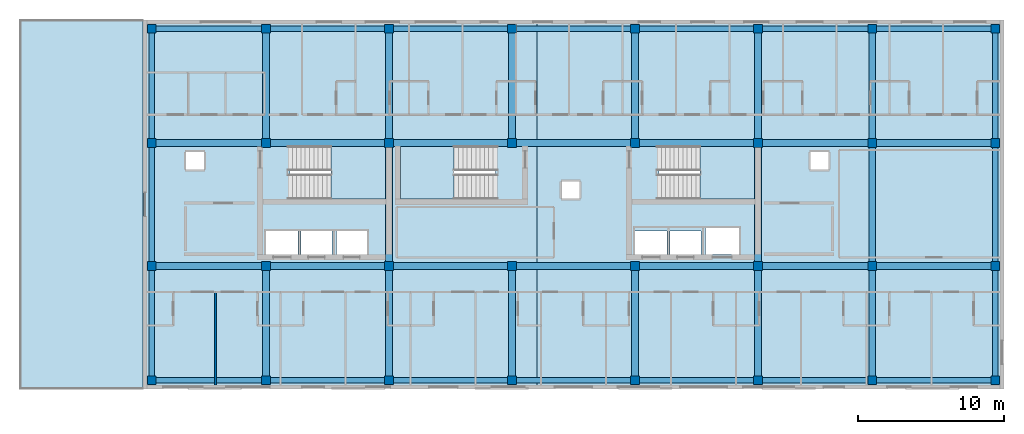
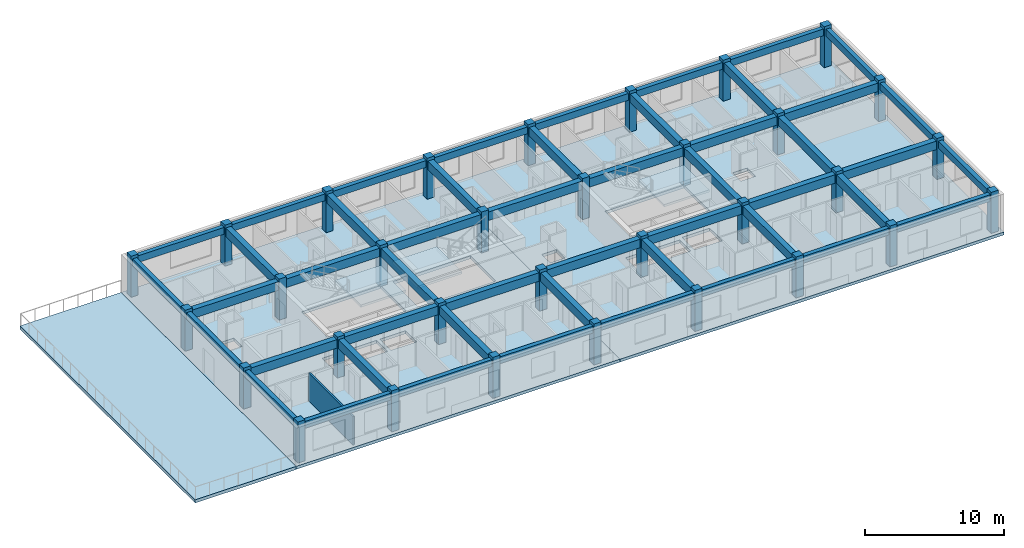
# One storey, part 1 of 10: 49 beams, 32 columns, 6 slabs, 1 wall, 3 elements without a shape of their own.
"""IFC4 building model written with IfcOpenShell, lengths in metres."""

from ifc_helpers import new_model, si_unit, direction, frame, frame_2d, origin, origin_2d, place, context, subcontext, project, spatial, polyline, rectangle, outline, extrude, material, layer, layer_set, material_profile, profile_set, type_object, element, aggregate, save


model = new_model("IFC4")

# Units and contexts
model_context = context("Model", 3, precision=1e-05, world=origin(), true_north=direction((0.0, 1.0)))
body_context = subcontext(model_context, "Body", "Model", "MODEL_VIEW")
ifc_project = project(units=[si_unit("LENGTHUNIT", "METRE"), si_unit("AREAUNIT", "SQUARE_METRE"), si_unit("VOLUMEUNIT", "CUBIC_METRE"), si_unit("PLANEANGLEUNIT", "RADIAN"), si_unit("MASSUNIT", "GRAM", prefix="KILO")], contexts=[model_context])

# Site, building, storey
site_placement = place(None, origin())
site = spatial("IfcSite", under=ifc_project, at=site_placement, CompositionType="ELEMENT")
building_placement = place(site_placement, origin())
building = spatial("IfcBuilding", under=site, at=building_placement, Name="Zayran Congress Hotel", CompositionType="ELEMENT")
storey_placement = place(building_placement, frame((0.0, 0.0, 33.60009765625)))
storey = spatial("IfcBuildingStorey", under=building, at=storey_placement, Name="L08", CompositionType="ELEMENT", Elevation=33.60009765625)

# Columns
ifc_material_1 = material(Name="Concrete C40/50", Category="concrete")
ifc_material_profile_1 = material_profile(ifc_material_1, rectangle(XDim=0.60009765625, YDim=0.60009765625, at=origin_2d()), Name="RC 600x600")
ifc_profile_set_1 = profile_set([ifc_material_profile_1], Name="Concrete C40/50")
column_type = type_object("IfcColumnType", Name="TP-CL-04", PredefinedType="COLUMN", material=ifc_profile_set_1)
for number, where, z_axis, x_axis, name in (
    (1, (17.39990234375, 9.39990234375, 0.0), (0.0, 0.0, 1.0), (1.0, 0.0, 0.0), "COL-V5-L08-1260"),
    (2, (17.39990234375, 17.199951171875, 0.0), (0.0, 0.0, 1.0), (1.0, 0.0, 0.0), "COL-V5-L08-1261"),
    (3, (17.39990234375, 25.60009765625, 0.0), (0.0, 0.0, 1.0), (1.0, 0.0, 0.0), "COL-V5-L08-1262"),
    (4, (17.39990234375, 33.39990234375, 0.0), (0.0, 0.0, 1.0), (1.0, 0.0, 0.0), "COL-V5-L08-1263"),
    (5, (25.199951171875, 9.39990234375, 0.0), (0.0, 0.0, 1.0), (1.0, 0.0, 0.0), "COL-V5-L08-1264"),
    (6, (25.199951171875, 17.199951171875, 0.0), (0.0, 0.0, 1.0), (1.0, 0.0, 0.0), "COL-V5-L08-1265"),
    (7, (25.199951171875, 25.60009765625, 0.0), (0.0, 0.0, 1.0), (1.0, 0.0, 0.0), "COL-V5-L08-1266"),
    (8, (25.199951171875, 33.39990234375, 0.0), (0.0, 0.0, 1.0), (1.0, 0.0, 0.0), "COL-V5-L08-1267"),
    (9, (33.60009765625, 9.39990234375, 0.0), (0.0, 0.0, 1.0), (1.0, 0.0, 0.0), "COL-V5-L08-1268"),
    (10, (33.60009765625, 17.199951171875, 0.0), (0.0, 0.0, 1.0), (1.0, 0.0, 0.0), "COL-V5-L08-1269"),
    (11, (33.60009765625, 25.60009765625, 0.0), (0.0, 0.0, 1.0), (1.0, 0.0, 0.0), "COL-V5-L08-1270"),
    (12, (33.60009765625, 33.39990234375, 0.0), (0.0, 0.0, 1.0), (1.0, 0.0, 0.0), "COL-V5-L08-1271"),
    (13, (42.0, 9.39990234375, 0.0), (0.0, 0.0, 1.0), (1.0, 0.0, 0.0), "COL-V5-L08-1272"),
    (14, (42.0, 17.199951171875, 0.0), (0.0, 0.0, 1.0), (1.0, 0.0, 0.0), "COL-V5-L08-1273"),
    (15, (42.0, 25.60009765625, 0.0), (0.0, 0.0, 1.0), (1.0, 0.0, 0.0), "COL-V5-L08-1274"),
    (16, (42.0, 33.39990234375, 0.0), (0.0, 0.0, 1.0), (1.0, 0.0, 0.0), "COL-V5-L08-1275"),
    (17, (50.39990234375, 9.39990234375, 0.0), (0.0, 0.0, 1.0), (1.0, 0.0, 0.0), "COL-V5-L08-1276"),
    (18, (50.39990234375, 17.199951171875, 0.0), (0.0, 0.0, 1.0), (1.0, 0.0, 0.0), "COL-V5-L08-1277"),
    (19, (50.39990234375, 25.60009765625, 0.0), (0.0, 0.0, 1.0), (1.0, 0.0, 0.0), "COL-V5-L08-1278"),
    (20, (50.39990234375, 33.39990234375, 0.0), (0.0, 0.0, 1.0), (1.0, 0.0, 0.0), "COL-V5-L08-1279"),
    (21, (58.800048828125, 9.39990234375, 0.0), (0.0, 0.0, 1.0), (1.0, 0.0, 0.0), "COL-V5-L08-1280"),
    (22, (58.800048828125, 17.199951171875, 0.0), (0.0, 0.0, 1.0), (1.0, 0.0, 0.0), "COL-V5-L08-1281"),
    (23, (58.800048828125, 25.60009765625, 0.0), (0.0, 0.0, 1.0), (1.0, 0.0, 0.0), "COL-V5-L08-1282"),
    (24, (58.800048828125, 33.39990234375, 0.0), (0.0, 0.0, 1.0), (1.0, 0.0, 0.0), "COL-V5-L08-1283"),
    (25, (66.60009765625, 9.39990234375, 0.0), (0.0, 0.0, 1.0), (1.0, 0.0, 0.0), "COL-V5-L08-1284"),
    (26, (66.60009765625, 17.199951171875, 0.0), (0.0, 0.0, 1.0), (1.0, 0.0, 0.0), "COL-V5-L08-1285"),
    (27, (66.60009765625, 25.60009765625, 0.0), (0.0, 0.0, 1.0), (1.0, 0.0, 0.0), "COL-V5-L08-1286"),
    (28, (66.60009765625, 33.39990234375, 0.0), (0.0, 0.0, 1.0), (1.0, 0.0, 0.0), "COL-V5-L08-1287"),
    (29, (75.0, 9.39990234375, 0.0), (0.0, 0.0, 1.0), (1.0, 0.0, 0.0), "COL-V5-L08-1288"),
    (30, (75.0, 17.199951171875, 0.0), (0.0, 0.0, 1.0), (1.0, 0.0, 0.0), "COL-V5-L08-1289"),
    (31, (75.0, 25.60009765625, 0.0), (0.0, 0.0, 1.0), (1.0, 0.0, 0.0), "COL-V5-L08-1290"),
    (32, (75.0, 33.39990234375, 0.0), (0.0, 0.0, 1.0), (1.0, 0.0, 0.0), "COL-V5-L08-1291"),
):
    element("IfcColumn", number, at=place(storey_placement, frame(where, z_axis=z_axis, x_axis=x_axis)), inside=storey, type_object=column_type, Name=name, PredefinedType="COLUMN", context=body_context, shape_type="SweptSolid", body=[
        extrude(rectangle(XDim=0.60009765625, YDim=0.60009765625, at=origin_2d()), origin(), (0.0, 0.0, 1.0), 3.599853515625),
    ])

# Beams
ifc_material_profile_2 = material_profile(ifc_material_1, rectangle(XDim=0.449951171875, YDim=0.75, at=origin_2d()), Name="RC 450x750")
ifc_profile_set_2 = profile_set([ifc_material_profile_2], Name="Concrete C40/50")
beam_type_1 = type_object("IfcBeamType", Name="TP-BM-02", PredefinedType="BEAM", material=ifc_profile_set_2)
beam_1_placement = place(storey_placement, frame((17.39990234375, 17.199951171875, 2.96484375), z_axis=(1.0, 0.0, 0.0), x_axis=(0.0, 1.0, 0.0)))
element("IfcBeam", 33, at=beam_1_placement, inside=storey, type_object=beam_type_1, Name="BM-V5-L08-2222", PredefinedType="BEAM", context=body_context, shape_type="SweptSolid", body=[
    extrude(rectangle(XDim=0.449951171875, YDim=0.75, at=origin_2d()), origin(), (0.0, 0.0, 1.0), 7.800048828125),
])
beam_2_placement = place(storey_placement, frame((25.199951171875, 17.199951171875, 2.96484375), z_axis=(1.0, 0.0, 0.0), x_axis=(0.0, 1.0, 0.0)))
element("IfcBeam", 34, at=beam_2_placement, inside=storey, type_object=beam_type_1, Name="BM-V5-L08-2223", PredefinedType="BEAM", context=body_context, shape_type="SweptSolid", body=[
    extrude(rectangle(XDim=0.449951171875, YDim=0.75, at=origin_2d()), origin(), (0.0, 0.0, 1.0), 8.400146484375),
])
for number, where, z_axis, x_axis, name in (
    (35, (33.60009765625, 17.199951171875, 2.96484375), (1.0, 0.0, 0.0), (0.0, 1.0, 0.0), "BM-V5-L08-2224"),
    (36, (42.0, 17.199951171875, 2.96484375), (1.0, 0.0, 0.0), (0.0, 1.0, 0.0), "BM-V5-L08-2225"),
):
    element("IfcBeam", number, at=place(storey_placement, frame(where, z_axis=z_axis, x_axis=x_axis)), inside=storey, type_object=beam_type_1, Name=name, PredefinedType="BEAM", context=body_context, shape_type="SweptSolid", body=[
        extrude(rectangle(XDim=0.449951171875, YDim=0.75, at=origin_2d()), origin(), (0.0, 0.0, 1.0), 8.39990234375),
    ])
beam_3_placement = place(storey_placement, frame((50.39990234375, 17.199951171875, 2.96484375), z_axis=(1.0, 0.0, 0.0), x_axis=(0.0, 1.0, 0.0)))
element("IfcBeam", 37, at=beam_3_placement, inside=storey, type_object=beam_type_1, Name="BM-V5-L08-2226", PredefinedType="BEAM", context=body_context, shape_type="SweptSolid", body=[
    extrude(rectangle(XDim=0.449951171875, YDim=0.75, at=origin_2d()), origin(), (0.0, 0.0, 1.0), 8.400146484375),
])
beam_4_placement = place(storey_placement, frame((58.800048828125, 17.199951171875, 2.96484375), z_axis=(1.0, 0.0, 0.0), x_axis=(0.0, 1.0, 0.0)))
element("IfcBeam", 38, at=beam_4_placement, inside=storey, type_object=beam_type_1, Name="BM-V5-L08-2227", PredefinedType="BEAM", context=body_context, shape_type="SweptSolid", body=[
    extrude(rectangle(XDim=0.449951171875, YDim=0.75, at=origin_2d()), origin(), (0.0, 0.0, 1.0), 7.800048828125),
])
beam_5_placement = place(storey_placement, frame((66.60009765625, 17.199951171875, 2.96484375), z_axis=(1.0, 0.0, 0.0), x_axis=(0.0, 1.0, 0.0)))
element("IfcBeam", 39, at=beam_5_placement, inside=storey, type_object=beam_type_1, Name="BM-V5-L08-2228", PredefinedType="BEAM", context=body_context, shape_type="SweptSolid", body=[
    extrude(rectangle(XDim=0.449951171875, YDim=0.75, at=origin_2d()), origin(), (0.0, 0.0, 1.0), 8.39990234375),
])
beam_6_placement = place(storey_placement, frame((17.39990234375, 25.60009765625, 2.96484375), z_axis=(1.0, 0.0, 0.0), x_axis=(0.0, 1.0, 0.0)))
element("IfcBeam", 40, at=beam_6_placement, inside=storey, type_object=beam_type_1, Name="BM-V5-L08-2229", PredefinedType="BEAM", context=body_context, shape_type="SweptSolid", body=[
    extrude(rectangle(XDim=0.449951171875, YDim=0.75, at=origin_2d()), origin(), (0.0, 0.0, 1.0), 7.800048828125),
])
beam_7_placement = place(storey_placement, frame((25.199951171875, 25.60009765625, 2.96484375), z_axis=(1.0, 0.0, 0.0), x_axis=(0.0, 1.0, 0.0)))
element("IfcBeam", 41, at=beam_7_placement, inside=storey, type_object=beam_type_1, Name="BM-V5-L08-2230", PredefinedType="BEAM", context=body_context, shape_type="SweptSolid", body=[
    extrude(rectangle(XDim=0.449951171875, YDim=0.75, at=origin_2d()), origin(), (0.0, 0.0, 1.0), 8.400146484375),
])
for number, where, z_axis, x_axis, name in (
    (42, (33.60009765625, 25.60009765625, 2.96484375), (1.0, 0.0, 0.0), (0.0, 1.0, 0.0), "BM-V5-L08-2231"),
    (43, (42.0, 25.60009765625, 2.96484375), (1.0, 0.0, 0.0), (0.0, 1.0, 0.0), "BM-V5-L08-2232"),
):
    element("IfcBeam", number, at=place(storey_placement, frame(where, z_axis=z_axis, x_axis=x_axis)), inside=storey, type_object=beam_type_1, Name=name, PredefinedType="BEAM", context=body_context, shape_type="SweptSolid", body=[
        extrude(rectangle(XDim=0.449951171875, YDim=0.75, at=origin_2d()), origin(), (0.0, 0.0, 1.0), 8.39990234375),
    ])
beam_8_placement = place(storey_placement, frame((50.39990234375, 25.60009765625, 2.96484375), z_axis=(1.0, 0.0, 0.0), x_axis=(0.0, 1.0, 0.0)))
element("IfcBeam", 44, at=beam_8_placement, inside=storey, type_object=beam_type_1, Name="BM-V5-L08-2233", PredefinedType="BEAM", context=body_context, shape_type="SweptSolid", body=[
    extrude(rectangle(XDim=0.449951171875, YDim=0.75, at=origin_2d()), origin(), (0.0, 0.0, 1.0), 8.400146484375),
])
beam_9_placement = place(storey_placement, frame((58.800048828125, 25.60009765625, 2.96484375), z_axis=(1.0, 0.0, 0.0), x_axis=(0.0, 1.0, 0.0)))
element("IfcBeam", 45, at=beam_9_placement, inside=storey, type_object=beam_type_1, Name="BM-V5-L08-2234", PredefinedType="BEAM", context=body_context, shape_type="SweptSolid", body=[
    extrude(rectangle(XDim=0.449951171875, YDim=0.75, at=origin_2d()), origin(), (0.0, 0.0, 1.0), 7.800048828125),
])
beam_10_placement = place(storey_placement, frame((66.60009765625, 25.60009765625, 2.96484375), z_axis=(1.0, 0.0, 0.0), x_axis=(0.0, 1.0, 0.0)))
element("IfcBeam", 46, at=beam_10_placement, inside=storey, type_object=beam_type_1, Name="BM-V5-L08-2235", PredefinedType="BEAM", context=body_context, shape_type="SweptSolid", body=[
    extrude(rectangle(XDim=0.449951171875, YDim=0.75, at=origin_2d()), origin(), (0.0, 0.0, 1.0), 8.39990234375),
])
beam_11_placement = place(storey_placement, frame((25.199951171875, 9.39990234375, 2.96484375), z_axis=(0.0, 1.0, 0.0), x_axis=(-1.0, 0.0, 0.0)))
element("IfcBeam", 47, at=beam_11_placement, inside=storey, type_object=beam_type_1, Name="BM-V5-L08-2246", PredefinedType="BEAM", context=body_context, shape_type="SweptSolid", body=[
    extrude(rectangle(XDim=0.449951171875, YDim=0.75, at=origin_2d()), origin(), (0.0, 0.0, 1.0), 7.800048828125),
])
beam_12_placement = place(storey_placement, frame((25.199951171875, 25.60009765625, 2.96484375), z_axis=(0.0, 1.0, 0.0), x_axis=(-1.0, 0.0, 0.0)))
element("IfcBeam", 48, at=beam_12_placement, inside=storey, type_object=beam_type_1, Name="BM-V5-L08-2247", PredefinedType="BEAM", context=body_context, shape_type="SweptSolid", body=[
    extrude(rectangle(XDim=0.449951171875, YDim=0.75, at=origin_2d()), origin(), (0.0, 0.0, 1.0), 7.7998046875),
])
beam_13_placement = place(storey_placement, frame((33.60009765625, 9.39990234375, 2.96484375), z_axis=(0.0, 1.0, 0.0), x_axis=(-1.0, 0.0, 0.0)))
element("IfcBeam", 49, at=beam_13_placement, inside=storey, type_object=beam_type_1, Name="BM-V5-L08-2248", PredefinedType="BEAM", context=body_context, shape_type="SweptSolid", body=[
    extrude(rectangle(XDim=0.449951171875, YDim=0.75, at=origin_2d()), origin(), (0.0, 0.0, 1.0), 7.800048828125),
])
beam_14_placement = place(storey_placement, frame((33.60009765625, 17.199951171875, 2.96484375), z_axis=(0.0, 1.0, 0.0), x_axis=(-1.0, 0.0, 0.0)))
element("IfcBeam", 50, at=beam_14_placement, inside=storey, type_object=beam_type_1, Name="BM-V5-L08-2249", PredefinedType="BEAM", context=body_context, shape_type="SweptSolid", body=[
    extrude(rectangle(XDim=0.449951171875, YDim=0.75, at=origin_2d()), origin(), (0.0, 0.0, 1.0), 8.400146484375),
])
beam_15_placement = place(storey_placement, frame((33.60009765625, 25.60009765625, 2.96484375), z_axis=(0.0, 1.0, 0.0), x_axis=(-1.0, 0.0, 0.0)))
element("IfcBeam", 51, at=beam_15_placement, inside=storey, type_object=beam_type_1, Name="BM-V5-L08-2250", PredefinedType="BEAM", context=body_context, shape_type="SweptSolid", body=[
    extrude(rectangle(XDim=0.449951171875, YDim=0.75, at=origin_2d()), origin(), (0.0, 0.0, 1.0), 7.7998046875),
])
beam_16_placement = place(storey_placement, frame((42.0, 9.39990234375, 2.96484375), z_axis=(0.0, 1.0, 0.0), x_axis=(-1.0, 0.0, 0.0)))
element("IfcBeam", 52, at=beam_16_placement, inside=storey, type_object=beam_type_1, Name="BM-V5-L08-2251", PredefinedType="BEAM", context=body_context, shape_type="SweptSolid", body=[
    extrude(rectangle(XDim=0.449951171875, YDim=0.75, at=origin_2d()), origin(), (0.0, 0.0, 1.0), 7.800048828125),
])
beam_17_placement = place(storey_placement, frame((42.0, 25.60009765625, 2.96484375), z_axis=(0.0, 1.0, 0.0), x_axis=(-1.0, 0.0, 0.0)))
element("IfcBeam", 53, at=beam_17_placement, inside=storey, type_object=beam_type_1, Name="BM-V5-L08-2253", PredefinedType="BEAM", context=body_context, shape_type="SweptSolid", body=[
    extrude(rectangle(XDim=0.449951171875, YDim=0.75, at=origin_2d()), origin(), (0.0, 0.0, 1.0), 7.7998046875),
])
beam_18_placement = place(storey_placement, frame((50.39990234375, 9.39990234375, 2.96484375), z_axis=(0.0, 1.0, 0.0), x_axis=(-1.0, 0.0, 0.0)))
element("IfcBeam", 54, at=beam_18_placement, inside=storey, type_object=beam_type_1, Name="BM-V5-L08-2254", PredefinedType="BEAM", context=body_context, shape_type="SweptSolid", body=[
    extrude(rectangle(XDim=0.449951171875, YDim=0.75, at=origin_2d()), origin(), (0.0, 0.0, 1.0), 7.800048828125),
])
beam_19_placement = place(storey_placement, frame((50.39990234375, 25.60009765625, 2.96484375), z_axis=(0.0, 1.0, 0.0), x_axis=(-1.0, 0.0, 0.0)))
element("IfcBeam", 55, at=beam_19_placement, inside=storey, type_object=beam_type_1, Name="BM-V5-L08-2255", PredefinedType="BEAM", context=body_context, shape_type="SweptSolid", body=[
    extrude(rectangle(XDim=0.449951171875, YDim=0.75, at=origin_2d()), origin(), (0.0, 0.0, 1.0), 7.7998046875),
])
beam_20_placement = place(storey_placement, frame((58.800048828125, 9.39990234375, 2.96484375), z_axis=(0.0, 1.0, 0.0), x_axis=(-1.0, 0.0, 0.0)))
element("IfcBeam", 56, at=beam_20_placement, inside=storey, type_object=beam_type_1, Name="BM-V5-L08-2256", PredefinedType="BEAM", context=body_context, shape_type="SweptSolid", body=[
    extrude(rectangle(XDim=0.449951171875, YDim=0.75, at=origin_2d()), origin(), (0.0, 0.0, 1.0), 7.800048828125),
])
beam_21_placement = place(storey_placement, frame((58.800048828125, 17.199951171875, 2.96484375), z_axis=(0.0, 1.0, 0.0), x_axis=(-1.0, 0.0, 0.0)))
element("IfcBeam", 57, at=beam_21_placement, inside=storey, type_object=beam_type_1, Name="BM-V5-L08-2257", PredefinedType="BEAM", context=body_context, shape_type="SweptSolid", body=[
    extrude(rectangle(XDim=0.449951171875, YDim=0.75, at=origin_2d()), origin(), (0.0, 0.0, 1.0), 8.400146484375),
])
beam_22_placement = place(storey_placement, frame((58.800048828125, 25.60009765625, 2.96484375), z_axis=(0.0, 1.0, 0.0), x_axis=(-1.0, 0.0, 0.0)))
element("IfcBeam", 58, at=beam_22_placement, inside=storey, type_object=beam_type_1, Name="BM-V5-L08-2258", PredefinedType="BEAM", context=body_context, shape_type="SweptSolid", body=[
    extrude(rectangle(XDim=0.449951171875, YDim=0.75, at=origin_2d()), origin(), (0.0, 0.0, 1.0), 7.7998046875),
])
beam_23_placement = place(storey_placement, frame((66.60009765625, 9.39990234375, 2.96484375), z_axis=(0.0, 1.0, 0.0), x_axis=(-1.0, 0.0, 0.0)))
element("IfcBeam", 59, at=beam_23_placement, inside=storey, type_object=beam_type_1, Name="BM-V5-L08-2259", PredefinedType="BEAM", context=body_context, shape_type="SweptSolid", body=[
    extrude(rectangle(XDim=0.449951171875, YDim=0.75, at=origin_2d()), origin(), (0.0, 0.0, 1.0), 7.800048828125),
])
beam_24_placement = place(storey_placement, frame((66.60009765625, 17.199951171875, 2.96484375), z_axis=(0.0, 1.0, 0.0), x_axis=(-1.0, 0.0, 0.0)))
element("IfcBeam", 60, at=beam_24_placement, inside=storey, type_object=beam_type_1, Name="BM-V5-L08-2260", PredefinedType="BEAM", context=body_context, shape_type="SweptSolid", body=[
    extrude(rectangle(XDim=0.449951171875, YDim=0.75, at=origin_2d()), origin(), (0.0, 0.0, 1.0), 8.400146484375),
])
beam_25_placement = place(storey_placement, frame((66.60009765625, 25.60009765625, 2.96484375), z_axis=(0.0, 1.0, 0.0), x_axis=(-1.0, 0.0, 0.0)))
element("IfcBeam", 61, at=beam_25_placement, inside=storey, type_object=beam_type_1, Name="BM-V5-L08-2261", PredefinedType="BEAM", context=body_context, shape_type="SweptSolid", body=[
    extrude(rectangle(XDim=0.449951171875, YDim=0.75, at=origin_2d()), origin(), (0.0, 0.0, 1.0), 7.7998046875),
])
ifc_material_profile_3 = material_profile(ifc_material_1, rectangle(XDim=0.35009765625, YDim=0.60009765625, at=origin_2d()), Name="RC 350x600")
ifc_profile_set_3 = profile_set([ifc_material_profile_3], Name="Concrete C40/50")
beam_type_2 = type_object("IfcBeamType", Name="TP-SP-01", PredefinedType="SPANDREL", material=ifc_profile_set_3)
beam_26_placement = place(storey_placement, frame((17.39990234375, 9.39990234375, 3.039794921875), z_axis=(1.0, 0.0, 0.0), x_axis=(0.0, 1.0, 0.0)))
element("IfcBeam", 62, at=beam_26_placement, inside=storey, type_object=beam_type_2, Name="BM-V5-L08-2215", PredefinedType="SPANDREL", context=body_context, shape_type="SweptSolid", body=[
    extrude(rectangle(XDim=0.35009765625, YDim=0.60009765625, at=origin_2d()), origin(), (0.0, 0.0, 1.0), 7.800048828125),
])
beam_27_placement = place(storey_placement, frame((25.199951171875, 9.39990234375, 3.039794921875), z_axis=(1.0, 0.0, 0.0), x_axis=(0.0, 1.0, 0.0)))
element("IfcBeam", 63, at=beam_27_placement, inside=storey, type_object=beam_type_2, Name="BM-V5-L08-2216", PredefinedType="SPANDREL", context=body_context, shape_type="SweptSolid", body=[
    extrude(rectangle(XDim=0.35009765625, YDim=0.60009765625, at=origin_2d()), origin(), (0.0, 0.0, 1.0), 8.400146484375),
])
for number, where, z_axis, x_axis, name in (
    (64, (33.60009765625, 9.39990234375, 3.039794921875), (1.0, 0.0, 0.0), (0.0, 1.0, 0.0), "BM-V5-L08-2217"),
    (65, (42.0, 9.39990234375, 3.039794921875), (1.0, 0.0, 0.0), (0.0, 1.0, 0.0), "BM-V5-L08-2218"),
):
    element("IfcBeam", number, at=place(storey_placement, frame(where, z_axis=z_axis, x_axis=x_axis)), inside=storey, type_object=beam_type_2, Name=name, PredefinedType="SPANDREL", context=body_context, shape_type="SweptSolid", body=[
        extrude(rectangle(XDim=0.35009765625, YDim=0.60009765625, at=origin_2d()), origin(), (0.0, 0.0, 1.0), 8.39990234375),
    ])
beam_28_placement = place(storey_placement, frame((50.39990234375, 9.39990234375, 3.039794921875), z_axis=(1.0, 0.0, 0.0), x_axis=(0.0, 1.0, 0.0)))
element("IfcBeam", 66, at=beam_28_placement, inside=storey, type_object=beam_type_2, Name="BM-V5-L08-2219", PredefinedType="SPANDREL", context=body_context, shape_type="SweptSolid", body=[
    extrude(rectangle(XDim=0.35009765625, YDim=0.60009765625, at=origin_2d()), origin(), (0.0, 0.0, 1.0), 8.400146484375),
])
beam_29_placement = place(storey_placement, frame((58.800048828125, 9.39990234375, 3.039794921875), z_axis=(1.0, 0.0, 0.0), x_axis=(0.0, 1.0, 0.0)))
element("IfcBeam", 67, at=beam_29_placement, inside=storey, type_object=beam_type_2, Name="BM-V5-L08-2220", PredefinedType="SPANDREL", context=body_context, shape_type="SweptSolid", body=[
    extrude(rectangle(XDim=0.35009765625, YDim=0.60009765625, at=origin_2d()), origin(), (0.0, 0.0, 1.0), 7.800048828125),
])
beam_30_placement = place(storey_placement, frame((66.60009765625, 9.39990234375, 3.039794921875), z_axis=(1.0, 0.0, 0.0), x_axis=(0.0, 1.0, 0.0)))
element("IfcBeam", 68, at=beam_30_placement, inside=storey, type_object=beam_type_2, Name="BM-V5-L08-2221", PredefinedType="SPANDREL", context=body_context, shape_type="SweptSolid", body=[
    extrude(rectangle(XDim=0.35009765625, YDim=0.60009765625, at=origin_2d()), origin(), (0.0, 0.0, 1.0), 8.39990234375),
])
beam_31_placement = place(storey_placement, frame((17.39990234375, 33.39990234375, 3.039794921875), z_axis=(1.0, 0.0, 0.0), x_axis=(0.0, 1.0, 0.0)))
element("IfcBeam", 69, at=beam_31_placement, inside=storey, type_object=beam_type_2, Name="BM-V5-L08-2236", PredefinedType="SPANDREL", context=body_context, shape_type="SweptSolid", body=[
    extrude(rectangle(XDim=0.35009765625, YDim=0.60009765625, at=origin_2d()), origin(), (0.0, 0.0, 1.0), 7.800048828125),
])
beam_32_placement = place(storey_placement, frame((25.199951171875, 33.39990234375, 3.039794921875), z_axis=(1.0, 0.0, 0.0), x_axis=(0.0, 1.0, 0.0)))
element("IfcBeam", 70, at=beam_32_placement, inside=storey, type_object=beam_type_2, Name="BM-V5-L08-2237", PredefinedType="SPANDREL", context=body_context, shape_type="SweptSolid", body=[
    extrude(rectangle(XDim=0.35009765625, YDim=0.60009765625, at=origin_2d()), origin(), (0.0, 0.0, 1.0), 8.400146484375),
])
for number, where, z_axis, x_axis, name in (
    (71, (33.60009765625, 33.39990234375, 3.039794921875), (1.0, 0.0, 0.0), (0.0, 1.0, 0.0), "BM-V5-L08-2238"),
    (72, (42.0, 33.39990234375, 3.039794921875), (1.0, 0.0, 0.0), (0.0, 1.0, 0.0), "BM-V5-L08-2239"),
):
    element("IfcBeam", number, at=place(storey_placement, frame(where, z_axis=z_axis, x_axis=x_axis)), inside=storey, type_object=beam_type_2, Name=name, PredefinedType="SPANDREL", context=body_context, shape_type="SweptSolid", body=[
        extrude(rectangle(XDim=0.35009765625, YDim=0.60009765625, at=origin_2d()), origin(), (0.0, 0.0, 1.0), 8.39990234375),
    ])
beam_33_placement = place(storey_placement, frame((50.39990234375, 33.39990234375, 3.039794921875), z_axis=(1.0, 0.0, 0.0), x_axis=(0.0, 1.0, 0.0)))
element("IfcBeam", 73, at=beam_33_placement, inside=storey, type_object=beam_type_2, Name="BM-V5-L08-2240", PredefinedType="SPANDREL", context=body_context, shape_type="SweptSolid", body=[
    extrude(rectangle(XDim=0.35009765625, YDim=0.60009765625, at=origin_2d()), origin(), (0.0, 0.0, 1.0), 8.400146484375),
])
beam_34_placement = place(storey_placement, frame((58.800048828125, 33.39990234375, 3.039794921875), z_axis=(1.0, 0.0, 0.0), x_axis=(0.0, 1.0, 0.0)))
element("IfcBeam", 74, at=beam_34_placement, inside=storey, type_object=beam_type_2, Name="BM-V5-L08-2241", PredefinedType="SPANDREL", context=body_context, shape_type="SweptSolid", body=[
    extrude(rectangle(XDim=0.35009765625, YDim=0.60009765625, at=origin_2d()), origin(), (0.0, 0.0, 1.0), 7.800048828125),
])
beam_35_placement = place(storey_placement, frame((66.60009765625, 33.39990234375, 3.039794921875), z_axis=(1.0, 0.0, 0.0), x_axis=(0.0, 1.0, 0.0)))
element("IfcBeam", 75, at=beam_35_placement, inside=storey, type_object=beam_type_2, Name="BM-V5-L08-2242", PredefinedType="SPANDREL", context=body_context, shape_type="SweptSolid", body=[
    extrude(rectangle(XDim=0.35009765625, YDim=0.60009765625, at=origin_2d()), origin(), (0.0, 0.0, 1.0), 8.39990234375),
])
beam_36_placement = place(storey_placement, frame((17.39990234375, 9.39990234375, 3.039794921875), z_axis=(0.0, 1.0, 0.0), x_axis=(-1.0, 0.0, 0.0)))
element("IfcBeam", 76, at=beam_36_placement, inside=storey, type_object=beam_type_2, Name="BM-V5-L08-2243", PredefinedType="SPANDREL", context=body_context, shape_type="SweptSolid", body=[
    extrude(rectangle(XDim=0.35009765625, YDim=0.60009765625, at=origin_2d()), origin(), (0.0, 0.0, 1.0), 7.800048828125),
])
beam_37_placement = place(storey_placement, frame((17.39990234375, 17.199951171875, 3.039794921875), z_axis=(0.0, 1.0, 0.0), x_axis=(-1.0, 0.0, 0.0)))
element("IfcBeam", 77, at=beam_37_placement, inside=storey, type_object=beam_type_2, Name="BM-V5-L08-2244", PredefinedType="SPANDREL", context=body_context, shape_type="SweptSolid", body=[
    extrude(rectangle(XDim=0.35009765625, YDim=0.60009765625, at=origin_2d()), origin(), (0.0, 0.0, 1.0), 8.400146484375),
])
beam_38_placement = place(storey_placement, frame((17.39990234375, 25.60009765625, 3.039794921875), z_axis=(0.0, 1.0, 0.0), x_axis=(-1.0, 0.0, 0.0)))
element("IfcBeam", 78, at=beam_38_placement, inside=storey, type_object=beam_type_2, Name="BM-V5-L08-2245", PredefinedType="SPANDREL", context=body_context, shape_type="SweptSolid", body=[
    extrude(rectangle(XDim=0.35009765625, YDim=0.60009765625, at=origin_2d()), origin(), (0.0, 0.0, 1.0), 7.7998046875),
])
beam_39_placement = place(storey_placement, frame((75.0, 9.39990234375, 3.039794921875), z_axis=(0.0, 1.0, 0.0), x_axis=(-1.0, 0.0, 0.0)))
element("IfcBeam", 79, at=beam_39_placement, inside=storey, type_object=beam_type_2, Name="BM-V5-L08-2262", PredefinedType="SPANDREL", context=body_context, shape_type="SweptSolid", body=[
    extrude(rectangle(XDim=0.35009765625, YDim=0.60009765625, at=origin_2d()), origin(), (0.0, 0.0, 1.0), 7.800048828125),
])
beam_40_placement = place(storey_placement, frame((75.0, 17.199951171875, 3.039794921875), z_axis=(0.0, 1.0, 0.0), x_axis=(-1.0, 0.0, 0.0)))
element("IfcBeam", 80, at=beam_40_placement, inside=storey, type_object=beam_type_2, Name="BM-V5-L08-2263", PredefinedType="SPANDREL", context=body_context, shape_type="SweptSolid", body=[
    extrude(rectangle(XDim=0.35009765625, YDim=0.60009765625, at=origin_2d()), origin(), (0.0, 0.0, 1.0), 8.400146484375),
])
beam_41_placement = place(storey_placement, frame((75.0, 25.60009765625, 3.039794921875), z_axis=(0.0, 1.0, 0.0), x_axis=(-1.0, 0.0, 0.0)))
element("IfcBeam", 81, at=beam_41_placement, inside=storey, type_object=beam_type_2, Name="BM-V5-L08-2264", PredefinedType="SPANDREL", context=body_context, shape_type="SweptSolid", body=[
    extrude(rectangle(XDim=0.35009765625, YDim=0.60009765625, at=origin_2d()), origin(), (0.0, 0.0, 1.0), 7.7998046875),
])

# Slabs
ifc_material_2 = material(Name="Concrete C32/40", Category="concrete")
ifc_layer_1 = layer(ifc_material_2, 0.260009765625)
ifc_layer_set_1 = layer_set([ifc_layer_1], Name="Concrete C32/40")
slab_type_1 = type_object("IfcSlabType", Name="SL-FL-260", PredefinedType="FLOOR", material=ifc_layer_set_1)
slab_1_placement = place(storey_placement, frame((0.0, 0.0, -0.260009765625)))
element("IfcSlab", 82, at=slab_1_placement, inside=storey, type_object=slab_type_1, Name="SLB-V5-L08-047", PredefinedType="FLOOR", context=body_context, shape_type="SweptSolid", body=[
    extrude(outline(polyline([(16.800048828125, 8.800048828125), (43.699951171875, 8.800048828125), (43.699951171875, 34.0), (16.800048828125, 34.0), (16.800048828125, 8.800048828125)]), holes=[polyline([(26.840087890625, 21.760009765625), (33.39990234375, 21.760009765625), (33.39990234375, 25.39990234375), (26.840087890625, 25.39990234375), (26.840087890625, 21.760009765625)]), polyline([(25.199951171875, 18.0), (27.39990234375, 18.0), (27.39990234375, 19.60009765625), (25.199951171875, 19.60009765625), (25.199951171875, 18.0)]), polyline([(27.60009765625, 18.0), (29.699951171875, 18.0), (29.699951171875, 19.60009765625), (27.60009765625, 19.60009765625), (27.60009765625, 18.0)]), polyline([(30.0, 18.0), (32.10009765625, 18.0), (32.10009765625, 19.60009765625), (30.0, 19.60009765625), (30.0, 18.0)]), polyline([(34.39990234375, 21.760009765625), (40.860107421875, 21.760009765625), (40.860107421875, 25.39990234375), (34.39990234375, 25.39990234375), (34.39990234375, 21.760009765625)]), polyline([(19.739990234375, 23.800048828125), (20.9599609375, 23.800048828125), (20.9599609375, 24.97998046875), (19.739990234375, 24.97998046875), (19.739990234375, 23.800048828125)])]), origin(), (0.0, 0.0, 1.0), 0.260009765625),
])
slab_2_placement = place(storey_placement, frame((0.0, 0.0, -0.260009765625)))
element("IfcSlab", 83, at=slab_2_placement, inside=storey, type_object=slab_type_1, Name="SLB-V5-L08-048", PredefinedType="FLOOR", context=body_context, shape_type="SweptSolid", body=[
    extrude(outline(polyline([(43.699951171875, 8.800048828125), (75.60009765625, 8.800048828125), (75.60009765625, 34.0), (43.699951171875, 34.0), (43.699951171875, 8.800048828125)]), holes=[polyline([(52.0400390625, 21.760009765625), (58.60009765625, 21.760009765625), (58.60009765625, 25.39990234375), (52.0400390625, 25.39990234375), (52.0400390625, 21.760009765625)]), polyline([(50.39990234375, 18.0), (52.60009765625, 18.0), (52.60009765625, 19.60009765625), (50.39990234375, 19.60009765625), (50.39990234375, 18.0)]), polyline([(52.800048828125, 18.0), (54.89990234375, 18.0), (54.89990234375, 19.60009765625), (52.800048828125, 19.60009765625), (52.800048828125, 18.0)]), polyline([(55.199951171875, 18.0), (57.5, 18.0), (57.5, 19.800048828125), (55.199951171875, 19.800048828125), (55.199951171875, 18.0)]), polyline([(45.39990234375, 21.800048828125), (46.6201171875, 21.800048828125), (46.6201171875, 22.97998046875), (45.39990234375, 22.97998046875), (45.39990234375, 21.800048828125)]), polyline([(62.39990234375, 23.800048828125), (63.6201171875, 23.800048828125), (63.6201171875, 24.97998046875), (62.39990234375, 24.97998046875), (62.39990234375, 23.800048828125)])]), origin(), (0.0, 0.0, 1.0), 0.260009765625),
])
ifc_layer_2 = layer(ifc_material_2, 0.280029296875)
ifc_layer_set_2 = layer_set([ifc_layer_2], Name="Concrete C32/40")
slab_type_2 = type_object("IfcSlabType", Name="SL-TR-280", PredefinedType="FLOOR", material=ifc_layer_set_2)
slab_3_placement = place(storey_placement, frame((0.0, 0.0, -0.280029296875)))
element("IfcSlab", 84, at=slab_3_placement, inside=storey, type_object=slab_type_2, Name="V5 L08 Planted Roof Terrace Slab 1", PredefinedType="FLOOR", context=body_context, shape_type="SweptSolid", body=[
    extrude(outline(polyline([(8.39990234375, 8.800048828125), (16.800048828125, 8.800048828125), (16.800048828125, 34.0), (8.39990234375, 34.0), (8.39990234375, 8.800048828125)])), origin(), (0.0, 0.0, 1.0), 0.280029296875),
])

# Stair, slab
stair_type = type_object("IfcStairType", Name="TP-STR-1700-36", PredefinedType="USERDEFINED", material=ifc_material_2)
stair_1_placement = place(storey_placement, origin())
stair_1 = element("IfcStair", 85, at=stair_1_placement, inside=storey, type_object=stair_type, Name="L08 ST-01", ObjectType="TWO_RETURN_STAIR", PredefinedType="USERDEFINED")
ifc_layer_3 = layer(ifc_material_2, 0.199951171875)
ifc_layer_set_3 = layer_set([ifc_layer_3], Name="Concrete C32/40")
slab_type_3 = type_object("IfcSlabType", Name="TP-LND-1700", PredefinedType="LANDING", material=ifc_layer_set_3)
slab_4_placement = place(storey_placement, frame((0.0, 0.0, 1.599853515625)))
slab_4 = element("IfcSlab", 86, at=slab_4_placement, type_object=slab_type_3, Name="ST-01 landing 1", PredefinedType="LANDING", context=body_context, shape_type="SweptSolid", body=[
    extrude(outline(polyline([(29.64990234375, 21.760009765625), (33.39990234375, 21.760009765625), (33.39990234375, 25.39990234375), (29.64990234375, 25.39990234375), (29.64990234375, 21.760009765625)])), origin(), (0.0, 0.0, 1.0), 0.199951171875),
])
aggregate(stair_1, [slab_4])

stair_2_placement = place(storey_placement, origin())
stair_2 = element("IfcStair", 87, at=stair_2_placement, inside=storey, type_object=stair_type, Name="L08 ST-02", ObjectType="TWO_RETURN_STAIR", PredefinedType="USERDEFINED")
slab_5_placement = place(storey_placement, frame((0.0, 0.0, 1.599853515625)))
slab_5 = element("IfcSlab", 88, at=slab_5_placement, type_object=slab_type_3, Name="ST-02 landing 1", PredefinedType="LANDING", context=body_context, shape_type="SweptSolid", body=[
    extrude(outline(polyline([(54.85009765625, 21.760009765625), (58.60009765625, 21.760009765625), (58.60009765625, 25.39990234375), (54.85009765625, 25.39990234375), (54.85009765625, 21.760009765625)])), origin(), (0.0, 0.0, 1.0), 0.199951171875),
])
aggregate(stair_2, [slab_5])

stair_3_placement = place(storey_placement, origin())
stair_3 = element("IfcStair", 89, at=stair_3_placement, inside=storey, type_object=stair_type, Name="L08 ST-13", ObjectType="TWO_RETURN_STAIR", PredefinedType="USERDEFINED")
slab_6_placement = place(storey_placement, frame((0.0, 0.0, 1.599853515625)))
slab_6 = element("IfcSlab", 90, at=slab_6_placement, type_object=slab_type_3, Name="ST-13 landing 1", PredefinedType="LANDING", context=body_context, shape_type="SweptSolid", body=[
    extrude(outline(polyline([(38.050048828125, 25.39990234375), (34.39990234375, 25.39990234375), (34.39990234375, 21.760009765625), (38.050048828125, 21.760009765625), (38.050048828125, 25.39990234375)])), origin(), (0.0, 0.0, 1.0), 0.199951171875),
])
aggregate(stair_3, [slab_6])

# Wall
ifc_material_3 = material(Name="Hospitality guestroom acoustic partition", Category="gypsum")
ifc_layer_4 = layer(ifc_material_3, 0.139892578125)
ifc_layer_set_4 = layer_set([ifc_layer_4], Name="Hospitality guestroom acoustic partition")
wall_type = type_object("IfcWallType", Name="WL-PT-140", PredefinedType="PARTITIONING", material=ifc_layer_set_4)
wall_placement = place(storey_placement, frame((21.736083984375, 9.080078125, 0.0), z_axis=(0.0, 0.0, 1.0), x_axis=(0.0, 1.0, 0.0)))
element("IfcWall", 91, at=wall_placement, inside=storey, type_object=wall_type, Name="IW-L08-2091", PredefinedType="PARTITIONING", context=body_context, shape_type="SweptSolid", body=[
    extrude(rectangle(XDim=6.349853515625, YDim=0.139892578125, at=frame_2d((3.1748046875, 0.0))), origin(), (0.0, 0.0, 1.0), 2.47998046875),
])

save(model, "model.ifc")
